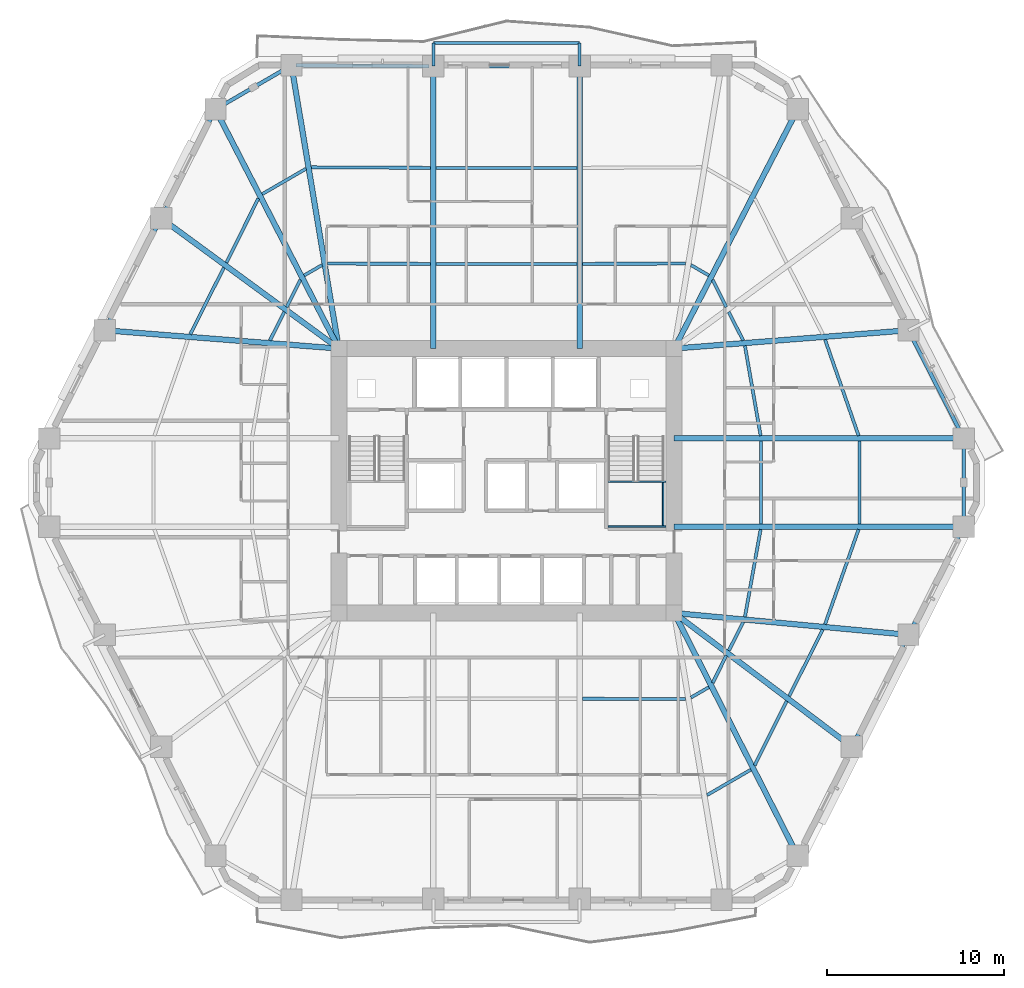
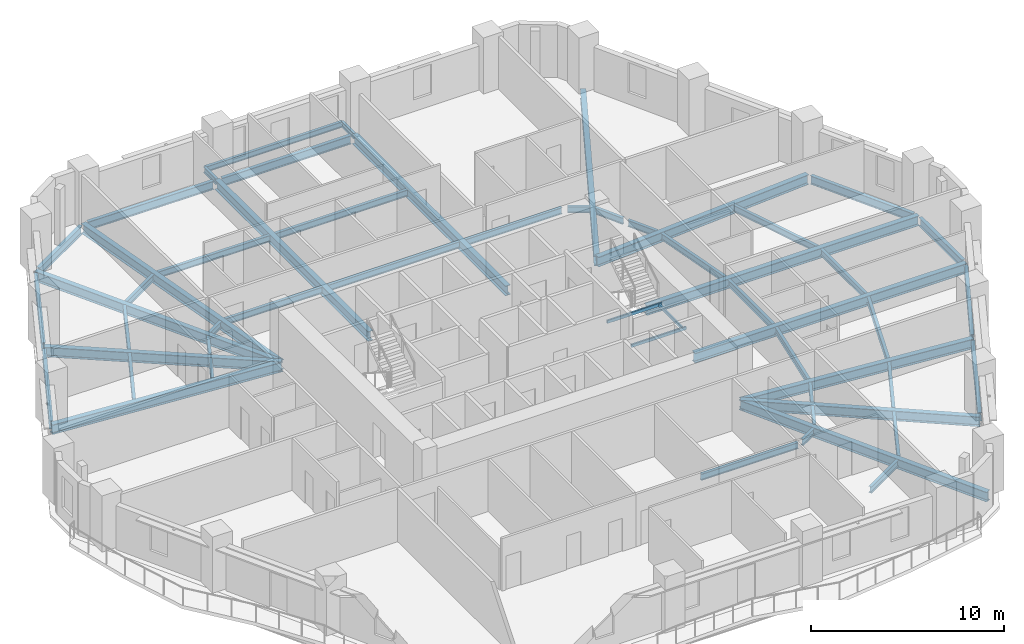
# One storey, part 2 of 14: 55 beams.
"""IFC4 building model written with IfcOpenShell, lengths in metres."""

from ifc_helpers import new_model, si_unit, direction, frame, origin, origin_2d, place, context, subcontext, project, spatial, hollow_rectangle, i_section, extrude, material, material_profile, profile_set, type_object, element, save


model = new_model("IFC4")

# Units and contexts
model_context = context("Model", 3, precision=1e-05, world=origin(), true_north=direction((0.0, 1.0)))
body_context = subcontext(model_context, "Body", "Model", "MODEL_VIEW")
ifc_project = project(units=[si_unit("LENGTHUNIT", "METRE"), si_unit("AREAUNIT", "SQUARE_METRE"), si_unit("VOLUMEUNIT", "CUBIC_METRE"), si_unit("PLANEANGLEUNIT", "RADIAN"), si_unit("MASSUNIT", "GRAM", prefix="KILO")], contexts=[model_context])

# Site, building, storey
site_placement = place(None, origin())
site = spatial("IfcSite", under=ifc_project, at=site_placement, CompositionType="ELEMENT")
building_placement = place(site_placement, origin())
building = spatial("IfcBuilding", under=site, at=building_placement, Name="Cinnabar Lancet Tower", CompositionType="ELEMENT")
storey_placement = place(building_placement, frame((0.0, 0.0, 67.5)))
storey = spatial("IfcBuildingStorey", under=building, at=storey_placement, Name="L17", CompositionType="ELEMENT", Elevation=67.5)

# Beams
ifc_material_1 = material(Name="Structural steel S355", Category="steel")
ifc_material_profile_1 = material_profile(ifc_material_1, i_section(OverallWidth=0.177978515625, OverallDepth=0.406494140625, WebThickness=0.0078125, FlangeThickness=0.0126953125, FilletRadius=0.01025390625, at=origin_2d()), Name="UKB 406x178x60")
ifc_profile_set_1 = profile_set([ifc_material_profile_1], Name="Structural steel S355")
beam_type_1 = type_object("IfcBeamType", Name="STR-BM-JST-406", PredefinedType="JOIST", material=ifc_profile_set_1)
beam_1_placement = place(storey_placement, frame((36.676025390625, 13.616943359375, -0.423095703125), z_axis=(0.999996723732, -0.002559790187, 0.0), x_axis=(0.002559790187, 0.999996723732, 0.0)))
element("IfcBeam", 1, at=beam_1_placement, inside=storey, type_object=beam_type_1, Name="L17 Secondary Floor Joist 14", PredefinedType="JOIST", context=body_context, shape_type="SweptSolid", body=[
    extrude(i_section(OverallWidth=0.177978515625, OverallDepth=0.406494140625, WebThickness=0.0078125, FlangeThickness=0.0126953125, FilletRadius=0.01025390625, at=origin_2d()), origin(), (0.0, 0.0, 1.0), 5.81787109375),
])
beam_2_placement = place(storey_placement, frame((43.698974609375, 8.18896484375, -0.423095703125), z_axis=(0.865076496111, 0.501639966387, 0.0), x_axis=(-0.501639966387, 0.865076496111, 0.0)))
element("IfcBeam", 2, at=beam_2_placement, inside=storey, type_object=beam_type_1, Name="L17 Secondary Floor Joist 15", PredefinedType="JOIST", context=body_context, shape_type="SweptSolid", body=[
    extrude(i_section(OverallWidth=0.177978515625, OverallDepth=0.406494140625, WebThickness=0.0078125, FlangeThickness=0.0126953125, FilletRadius=0.01025390625, at=origin_2d()), origin(), (0.0, 0.0, 1.0), 2.85302734375),
])
beam_3_placement = place(storey_placement, frame((42.7919921875, 13.68408203125, -0.423095703125), z_axis=(0.865192550274, 0.50143977799, 0.0), x_axis=(-0.50143977799, 0.865192550274, 0.0)))
element("IfcBeam", 3, at=beam_3_placement, inside=storey, type_object=beam_type_1, Name="L17 Secondary Floor Joist 16", PredefinedType="JOIST", context=body_context, shape_type="SweptSolid", body=[
    extrude(i_section(OverallWidth=0.177978515625, OverallDepth=0.406494140625, WebThickness=0.0078125, FlangeThickness=0.0126953125, FilletRadius=0.01025390625, at=origin_2d()), origin(), (0.0, 0.0, 1.0), 1.16845703125),
])
beam_4_placement = place(storey_placement, frame((46.385009765625, 9.867919921875, -0.423095703125), z_axis=(0.445835127839, 0.895115098065, 0.0), x_axis=(-0.895115098065, 0.445835127839, 0.0)))
element("IfcBeam", 4, at=beam_4_placement, inside=storey, type_object=beam_type_1, Name="L17 Secondary Floor Joist 17", PredefinedType="JOIST", context=body_context, shape_type="SweptSolid", body=[
    extrude(i_section(OverallWidth=0.177978515625, OverallDepth=0.406494140625, WebThickness=0.0078125, FlangeThickness=0.0126953125, FilletRadius=0.01025390625, at=origin_2d()), origin(), (0.0, 0.0, 1.0), 4.03955078125),
])
beam_5_placement = place(storey_placement, frame((44.02099609375, 14.51806640625, -0.423095703125), z_axis=(0.44578468599, 0.895140220154, 0.0), x_axis=(-0.895140220154, 0.44578468599, 0.0)))
element("IfcBeam", 5, at=beam_5_placement, inside=storey, type_object=beam_type_1, Name="L17 Secondary Floor Joist 18", PredefinedType="JOIST", context=body_context, shape_type="SweptSolid", body=[
    extrude(i_section(OverallWidth=0.177978515625, OverallDepth=0.406494140625, WebThickness=0.0078125, FlangeThickness=0.0126953125, FilletRadius=0.01025390625, at=origin_2d()), origin(), (0.0, 0.0, 1.0), 1.709228515625),
])
beam_6_placement = place(storey_placement, frame((48.325927734375, 13.762939453125, -0.423095703125), z_axis=(0.450717414682, 0.892666685893, 0.0), x_axis=(-0.892666685893, 0.450717414682, 0.0)))
element("IfcBeam", 6, at=beam_6_placement, inside=storey, type_object=beam_type_1, Name="L17 Secondary Floor Joist 19", PredefinedType="JOIST", context=body_context, shape_type="SweptSolid", body=[
    extrude(i_section(OverallWidth=0.177978515625, OverallDepth=0.406494140625, WebThickness=0.0078125, FlangeThickness=0.0126953125, FilletRadius=0.01025390625, at=origin_2d()), origin(), (0.0, 0.0, 1.0), 4.204345703125),
])
beam_7_placement = place(storey_placement, frame((44.923095703125, 16.326904296875, -0.423095703125), z_axis=(0.450411488104, 0.892821085875, 0.0), x_axis=(-0.892821085875, 0.450411488104, 0.0)))
element("IfcBeam", 7, at=beam_7_placement, inside=storey, type_object=beam_type_1, Name="L17 Secondary Floor Joist 20", PredefinedType="JOIST", context=body_context, shape_type="SweptSolid", body=[
    extrude(i_section(OverallWidth=0.177978515625, OverallDepth=0.406494140625, WebThickness=0.0078125, FlangeThickness=0.0126953125, FilletRadius=0.01025390625, at=origin_2d()), origin(), (0.0, 0.0, 1.0), 1.800048828125),
])
beam_8_placement = place(storey_placement, frame((50.347900390625, 17.81201171875, -0.423095703125), z_axis=(0.333387390151, 0.942789927867, 0.0), x_axis=(-0.942789927867, 0.333387390151, 0.0)))
element("IfcBeam", 8, at=beam_8_placement, inside=storey, type_object=beam_type_1, Name="L17 Secondary Floor Joist 21", PredefinedType="JOIST", context=body_context, shape_type="SweptSolid", body=[
    extrude(i_section(OverallWidth=0.177978515625, OverallDepth=0.406494140625, WebThickness=0.0078125, FlangeThickness=0.0126953125, FilletRadius=0.01025390625, at=origin_2d()), origin(), (0.0, 0.0, 1.0), 5.67236328125),
])
beam_9_placement = place(storey_placement, frame((45.8359375, 18.23291015625, -0.423095703125), z_axis=(0.176227857104, 0.984349400559, 0.0), x_axis=(-0.984349400559, 0.176227857104, 0.0)))
element("IfcBeam", 9, at=beam_9_placement, inside=storey, type_object=beam_type_1, Name="L17 Secondary Floor Joist 22", PredefinedType="JOIST", context=body_context, shape_type="SweptSolid", body=[
    extrude(i_section(OverallWidth=0.177978515625, OverallDepth=0.406494140625, WebThickness=0.0078125, FlangeThickness=0.0126953125, FilletRadius=0.01025390625, at=origin_2d()), origin(), (0.0, 0.0, 1.0), 5.00537109375),
])
for number, where, z_axis, x_axis, name in (
    (10, (52.2939453125, 23.468017578125, -0.423095703125), (0.0, 1.0, 0.0), (-1.0, 0.0, 0.0), "L17 Secondary Floor Joist 23"),
    (11, (46.7451171875, 23.468017578125, -0.423095703125), (0.0, 1.0, 0.0), (-1.0, 0.0, 0.0), "L17 Secondary Floor Joist 24"),
):
    element("IfcBeam", number, at=place(storey_placement, frame(where, z_axis=z_axis, x_axis=x_axis)), inside=storey, type_object=beam_type_1, Name=name, PredefinedType="JOIST", context=body_context, shape_type="SweptSolid", body=[
        extrude(i_section(OverallWidth=0.177978515625, OverallDepth=0.406494140625, WebThickness=0.0078125, FlangeThickness=0.0126953125, FilletRadius=0.01025390625, at=origin_2d()), origin(), (0.0, 0.0, 1.0), 4.6640625),
    ])
beam_10_placement = place(storey_placement, frame((52.239990234375, 28.43994140625, -0.423095703125), z_axis=(-0.329645522599, 0.944104776723, 0.0), x_axis=(-0.944104776723, -0.329645522599, 0.0)))
element("IfcBeam", 12, at=beam_10_placement, inside=storey, type_object=beam_type_1, Name="L17 Secondary Floor Joist 25", PredefinedType="JOIST", context=body_context, shape_type="SweptSolid", body=[
    extrude(i_section(OverallWidth=0.177978515625, OverallDepth=0.406494140625, WebThickness=0.0078125, FlangeThickness=0.0126953125, FilletRadius=0.01025390625, at=origin_2d()), origin(), (0.0, 0.0, 1.0), 5.73974609375),
])
beam_11_placement = place(storey_placement, frame((46.718994140625, 28.43994140625, -0.423095703125), z_axis=(-0.171867959611, 0.985119994954, 0.0), x_axis=(-0.985119994954, -0.171867959611, 0.0)))
element("IfcBeam", 13, at=beam_11_placement, inside=storey, type_object=beam_type_1, Name="L17 Secondary Floor Joist 26", PredefinedType="JOIST", context=body_context, shape_type="SweptSolid", body=[
    extrude(i_section(OverallWidth=0.177978515625, OverallDepth=0.406494140625, WebThickness=0.0078125, FlangeThickness=0.0126953125, FilletRadius=0.01025390625, at=origin_2d()), origin(), (0.0, 0.0, 1.0), 5.1435546875),
])
beam_12_placement = place(storey_placement, frame((45.73388671875, 33.806884765625, -0.423095703125), z_axis=(-0.450629740029, 0.892710948405, 0.0), x_axis=(-0.892710948405, -0.450629740029, 0.0)))
element("IfcBeam", 14, at=beam_12_placement, inside=storey, type_object=beam_type_1, Name="L17 Secondary Floor Joist 28", PredefinedType="JOIST", context=body_context, shape_type="SweptSolid", body=[
    extrude(i_section(OverallWidth=0.177978515625, OverallDepth=0.406494140625, WebThickness=0.0078125, FlangeThickness=0.0126953125, FilletRadius=0.01025390625, at=origin_2d()), origin(), (0.0, 0.0, 1.0), 1.79931640625),
])
beam_13_placement = place(storey_placement, frame((44.782958984375, 35.69189453125, -0.423095703125), z_axis=(-0.445556802404, 0.895253671219, 0.0), x_axis=(-0.895253671219, -0.445556802404, 0.0)))
element("IfcBeam", 15, at=beam_13_placement, inside=storey, type_object=beam_type_1, Name="L17 Secondary Floor Joist 30", PredefinedType="JOIST", context=body_context, shape_type="SweptSolid", body=[
    extrude(i_section(OverallWidth=0.177978515625, OverallDepth=0.406494140625, WebThickness=0.0078125, FlangeThickness=0.0126953125, FilletRadius=0.01025390625, at=origin_2d()), origin(), (0.0, 0.0, 1.0), 1.710205078125),
])
beam_14_placement = place(storey_placement, frame((43.802978515625, 37.469970703125, -0.423095703125), z_axis=(-0.865192550274, 0.50143977799, 0.0), x_axis=(-0.50143977799, -0.865192550274, 0.0)))
element("IfcBeam", 16, at=beam_14_placement, inside=storey, type_object=beam_type_1, Name="L17 Secondary Floor Joist 32", PredefinedType="JOIST", context=body_context, shape_type="SweptSolid", body=[
    extrude(i_section(OverallWidth=0.177978515625, OverallDepth=0.406494140625, WebThickness=0.0078125, FlangeThickness=0.0126953125, FilletRadius=0.01025390625, at=origin_2d()), origin(), (0.0, 0.0, 1.0), 1.16845703125),
])
beam_15_placement = place(storey_placement, frame((42.493896484375, 38.137939453125, -0.423095703125), z_axis=(-0.999996723732, -0.002559790187, 0.0), x_axis=(0.002559790187, -0.999996723732, 0.0)))
element("IfcBeam", 17, at=beam_15_placement, inside=storey, type_object=beam_type_1, Name="L17 Secondary Floor Joist 34", PredefinedType="JOIST", context=body_context, shape_type="SweptSolid", body=[
    extrude(i_section(OverallWidth=0.177978515625, OverallDepth=0.406494140625, WebThickness=0.0078125, FlangeThickness=0.0126953125, FilletRadius=0.01025390625, at=origin_2d()), origin(), (0.0, 0.0, 1.0), 5.81787109375),
])
for number, where, z_axis, x_axis, name in (
    (18, (36.367919921875, 43.531005859375, -0.423095703125), (-1.0, 0.0, 0.0), (0.0, -1.0, 0.0), "L17 Secondary Floor Joist 35"),
    (19, (36.367919921875, 38.1220703125, -0.423095703125), (-1.0, 0.0, 0.0), (0.0, -1.0, 0.0), "L17 Secondary Floor Joist 36"),
):
    element("IfcBeam", number, at=place(storey_placement, frame(where, z_axis=z_axis, x_axis=x_axis)), inside=storey, type_object=beam_type_1, Name=name, PredefinedType="JOIST", context=body_context, shape_type="SweptSolid", body=[
        extrude(i_section(OverallWidth=0.177978515625, OverallDepth=0.406494140625, WebThickness=0.0078125, FlangeThickness=0.0126953125, FilletRadius=0.01025390625, at=origin_2d()), origin(), (0.0, 0.0, 1.0), 7.93603515625),
    ])
beam_16_placement = place(storey_placement, frame((28.1240234375, 43.531982421875, -0.423095703125), z_axis=(-0.999988691939, 0.004755627628, 0.0), x_axis=(-0.004755627628, -0.999988691939, 0.0)))
element("IfcBeam", 20, at=beam_16_placement, inside=storey, type_object=beam_type_1, Name="L17 Secondary Floor Joist 37", PredefinedType="JOIST", context=body_context, shape_type="SweptSolid", body=[
    extrude(i_section(OverallWidth=0.177978515625, OverallDepth=0.406494140625, WebThickness=0.0078125, FlangeThickness=0.0126953125, FilletRadius=0.01025390625, at=origin_2d()), origin(), (0.0, 0.0, 1.0), 6.72509765625),
])
beam_17_placement = place(storey_placement, frame((28.1240234375, 38.123046875, -0.423095703125), z_axis=(-0.999996724007, 0.002559682773, 0.0), x_axis=(-0.002559682773, -0.999996724007, 0.0)))
element("IfcBeam", 21, at=beam_17_placement, inside=storey, type_object=beam_type_1, Name="L17 Secondary Floor Joist 38", PredefinedType="JOIST", context=body_context, shape_type="SweptSolid", body=[
    extrude(i_section(OverallWidth=0.177978515625, OverallDepth=0.406494140625, WebThickness=0.0078125, FlangeThickness=0.0126953125, FilletRadius=0.01025390625, at=origin_2d()), origin(), (0.0, 0.0, 1.0), 5.818115234375),
])
beam_18_placement = place(storey_placement, frame((21.10107421875, 43.48291015625, -0.423095703125), z_axis=(-0.865113631149, -0.50157592167, 0.0), x_axis=(0.50157592167, -0.865113631149, 0.0)))
element("IfcBeam", 22, at=beam_18_placement, inside=storey, type_object=beam_type_1, Name="L17 Secondary Floor Joist 39", PredefinedType="JOIST", context=body_context, shape_type="SweptSolid", body=[
    extrude(i_section(OverallWidth=0.177978515625, OverallDepth=0.406494140625, WebThickness=0.0078125, FlangeThickness=0.0126953125, FilletRadius=0.01025390625, at=origin_2d()), origin(), (0.0, 0.0, 1.0), 2.852783203125),
])
beam_19_placement = place(storey_placement, frame((22.008056640625, 38.055908203125, -0.423095703125), z_axis=(-0.865192550274, -0.50143977799, 0.0), x_axis=(0.50143977799, -0.865192550274, 0.0)))
element("IfcBeam", 23, at=beam_19_placement, inside=storey, type_object=beam_type_1, Name="L17 Secondary Floor Joist 40", PredefinedType="JOIST", context=body_context, shape_type="SweptSolid", body=[
    extrude(i_section(OverallWidth=0.177978515625, OverallDepth=0.406494140625, WebThickness=0.0078125, FlangeThickness=0.0126953125, FilletRadius=0.01025390625, at=origin_2d()), origin(), (0.0, 0.0, 1.0), 1.16845703125),
])
beam_20_placement = place(storey_placement, frame((18.4150390625, 41.804931640625, -0.423095703125), z_axis=(-0.445738672706, -0.895163133543, 0.0), x_axis=(0.895163133543, -0.445738672706, 0.0)))
element("IfcBeam", 24, at=beam_20_placement, inside=storey, type_object=beam_type_1, Name="L17 Secondary Floor Joist 41", PredefinedType="JOIST", context=body_context, shape_type="SweptSolid", body=[
    extrude(i_section(OverallWidth=0.177978515625, OverallDepth=0.406494140625, WebThickness=0.0078125, FlangeThickness=0.0126953125, FilletRadius=0.01025390625, at=origin_2d()), origin(), (0.0, 0.0, 1.0), 4.04052734375),
])
beam_21_placement = place(storey_placement, frame((20.779052734375, 37.222900390625, -0.423095703125), z_axis=(-0.445556802404, -0.895253671219, 0.0), x_axis=(0.895253671219, -0.445556802404, 0.0)))
element("IfcBeam", 25, at=beam_21_placement, inside=storey, type_object=beam_type_1, Name="L17 Secondary Floor Joist 42", PredefinedType="JOIST", context=body_context, shape_type="SweptSolid", body=[
    extrude(i_section(OverallWidth=0.177978515625, OverallDepth=0.406494140625, WebThickness=0.0078125, FlangeThickness=0.0126953125, FilletRadius=0.01025390625, at=origin_2d()), origin(), (0.0, 0.0, 1.0), 1.710205078125),
])
beam_22_placement = place(storey_placement, frame((16.47412109375, 37.908935546875, -0.423095703125), z_axis=(-0.450834254961, -0.89260768233, 0.0), x_axis=(0.89260768233, -0.450834254961, 0.0)))
element("IfcBeam", 26, at=beam_22_placement, inside=storey, type_object=beam_type_1, Name="L17 Secondary Floor Joist 43", PredefinedType="JOIST", context=body_context, shape_type="SweptSolid", body=[
    extrude(i_section(OverallWidth=0.177978515625, OverallDepth=0.406494140625, WebThickness=0.0078125, FlangeThickness=0.0126953125, FilletRadius=0.01025390625, at=origin_2d()), origin(), (0.0, 0.0, 1.0), 4.203369140625),
])
beam_23_placement = place(storey_placement, frame((19.876953125, 35.4130859375, -0.423095703125), z_axis=(-0.450737866707, -0.892656359142, 0.0), x_axis=(0.892656359142, -0.450737866707, 0.0)))
element("IfcBeam", 27, at=beam_23_placement, inside=storey, type_object=beam_type_1, Name="L17 Secondary Floor Joist 44", PredefinedType="JOIST", context=body_context, shape_type="SweptSolid", body=[
    extrude(i_section(OverallWidth=0.177978515625, OverallDepth=0.406494140625, WebThickness=0.0078125, FlangeThickness=0.0126953125, FilletRadius=0.01025390625, at=origin_2d()), origin(), (0.0, 0.0, 1.0), 1.79931640625),
])
ifc_material_2 = material(Name="Structural steel S355", Category="steel")
ifc_material_profile_2 = material_profile(ifc_material_2, hollow_rectangle(XDim=0.10009765625, YDim=0.199951171875, WallThickness=0.008056640625, InnerFilletRadius=0.00390625, OuterFilletRadius=0.011962890625, at=origin_2d()), Name="RHS 200x100x8")
ifc_profile_set_2 = profile_set([ifc_material_profile_2], Name="Structural steel S355")
beam_type_2 = type_object("IfcBeamType", Name="STR-BM-LND-203", PredefinedType="BEAM", material=ifc_profile_set_2)
for number, where, z_axis, x_axis, name in (
    (28, (38.1201171875, 23.330078125, 1.47509765625), (1.0, 0.0, 0.0), (0.0, 1.0, 0.0), "L17 ST-2-L17 Landing Support Beam S"),
    (29, (38.1201171875, 25.844970703125, 1.47509765625), (1.0, 0.0, 0.0), (0.0, 1.0, 0.0), "L17 ST-2-L17 Landing Support Beam N"),
):
    element("IfcBeam", number, at=place(storey_placement, frame(where, z_axis=z_axis, x_axis=x_axis)), inside=storey, type_object=beam_type_2, Name=name, PredefinedType="BEAM", context=body_context, shape_type="SweptSolid", body=[
        extrude(hollow_rectangle(XDim=0.10009765625, YDim=0.199951171875, WallThickness=0.008056640625, InnerFilletRadius=0.00390625, OuterFilletRadius=0.011962890625, at=origin_2d()), origin(), (0.0, 0.0, 1.0), 3.27978515625),
    ])
beam_24_placement = place(storey_placement, frame((41.219970703125, 23.3798828125, 1.47509765625), z_axis=(0.0, 1.0, 0.0), x_axis=(-1.0, 0.0, 0.0)))
element("IfcBeam", 30, at=beam_24_placement, inside=storey, type_object=beam_type_2, Name="L17 ST-2-L17 Landing Side Trimmer Beam", PredefinedType="BEAM", context=body_context, shape_type="SweptSolid", body=[
    extrude(hollow_rectangle(XDim=0.10009765625, YDim=0.199951171875, WallThickness=0.008056640625, InnerFilletRadius=0.00390625, OuterFilletRadius=0.011962890625, at=origin_2d()), origin(), (0.0, 0.0, 1.0), 2.4150390625),
])
ifc_material_3 = material(Name="Structural steel S355", Category="steel")
ifc_material_profile_3 = material_profile(ifc_material_3, i_section(OverallWidth=0.209228515625, OverallDepth=0.533203125, WebThickness=0.010009765625, FlangeThickness=0.015625, FilletRadius=0.0126953125, at=origin_2d()), Name="UKB 533x210x92")
ifc_profile_set_3 = profile_set([ifc_material_profile_3], Name="Structural steel S355")
beam_type_3 = type_object("IfcBeamType", Name="STR-BM-SPN-533", PredefinedType="SPANDREL", material=ifc_profile_set_3)
beam_25_placement = place(storey_placement, frame((51.971923828125, 11.132080078125, -0.487060546875), z_axis=(0.450703143926, 0.892673891214, 0.0), x_axis=(-0.892673891214, 0.450703143926, 0.0)))
element("IfcBeam", 31, at=beam_25_placement, inside=storey, type_object=beam_type_3, Name="L17 Perimeter Spandrel 6", PredefinedType="SPANDREL", context=body_context, shape_type="SweptSolid", body=[
    extrude(i_section(OverallWidth=0.209228515625, OverallDepth=0.533203125, WebThickness=0.010009765625, FlangeThickness=0.015625, FilletRadius=0.0126953125, at=origin_2d()), origin(), (0.0, 0.0, 1.0), 6.570068359375),
])
beam_26_placement = place(storey_placement, frame((55.159912109375, 17.443115234375, -0.487060546875), z_axis=(0.456024522632, 0.889967209934, 0.0), x_axis=(-0.889967209934, 0.456024522632, 0.0)))
element("IfcBeam", 32, at=beam_26_placement, inside=storey, type_object=beam_type_3, Name="L17 Perimeter Spandrel 7", PredefinedType="SPANDREL", context=body_context, shape_type="SweptSolid", body=[
    extrude(i_section(OverallWidth=0.209228515625, OverallDepth=0.533203125, WebThickness=0.010009765625, FlangeThickness=0.015625, FilletRadius=0.0126953125, at=origin_2d()), origin(), (0.0, 0.0, 1.0), 6.34619140625),
])
beam_27_placement = place(storey_placement, frame((58.16796875, 23.56396484375, -0.487060546875), z_axis=(0.0, 1.0, 0.0), x_axis=(-1.0, 0.0, 0.0)))
element("IfcBeam", 33, at=beam_27_placement, inside=storey, type_object=beam_type_3, Name="L17 Perimeter Spandrel 8", PredefinedType="SPANDREL", context=body_context, shape_type="SweptSolid", body=[
    extrude(i_section(OverallWidth=0.209228515625, OverallDepth=0.533203125, WebThickness=0.010009765625, FlangeThickness=0.015625, FilletRadius=0.0126953125, at=origin_2d()), origin(), (0.0, 0.0, 1.0), 4.471923828125),
])
beam_28_placement = place(storey_placement, frame((58.053955078125, 28.509033203125, -0.487060546875), z_axis=(-0.456024522632, 0.889967209934, 0.0), x_axis=(-0.889967209934, -0.456024522632, 0.0)))
element("IfcBeam", 34, at=beam_28_placement, inside=storey, type_object=beam_type_3, Name="L17 Perimeter Spandrel 9", PredefinedType="SPANDREL", context=body_context, shape_type="SweptSolid", body=[
    extrude(i_section(OverallWidth=0.209228515625, OverallDepth=0.533203125, WebThickness=0.010009765625, FlangeThickness=0.015625, FilletRadius=0.0126953125, at=origin_2d()), origin(), (0.0, 0.0, 1.0), 6.34619140625),
])
beam_29_placement = place(storey_placement, frame((36.27197265625, 49.258056640625, -0.487060546875), z_axis=(-1.0, 0.0, 0.0), x_axis=(0.0, -1.0, 0.0)))
element("IfcBeam", 35, at=beam_29_placement, inside=storey, type_object=beam_type_3, Name="L17 Perimeter Spandrel 14", PredefinedType="SPANDREL", context=body_context, shape_type="SweptSolid", body=[
    extrude(i_section(OverallWidth=0.209228515625, OverallDepth=0.533203125, WebThickness=0.010009765625, FlangeThickness=0.015625, FilletRadius=0.0126953125, at=origin_2d()), origin(), (0.0, 0.0, 1.0), 7.743896484375),
])
beam_30_placement = place(storey_placement, frame((28.028076171875, 49.260009765625, -0.487060546875), z_axis=(-0.99997856757, 0.006547090947, 0.0), x_axis=(-0.006547090947, -0.99997856757, 0.0)))
element("IfcBeam", 36, at=beam_30_placement, inside=storey, type_object=beam_type_3, Name="L17 Perimeter Spandrel 15", PredefinedType="SPANDREL", context=body_context, shape_type="SweptSolid", body=[
    extrude(i_section(OverallWidth=0.209228515625, OverallDepth=0.533203125, WebThickness=0.010009765625, FlangeThickness=0.015625, FilletRadius=0.0126953125, at=origin_2d()), origin(), (0.0, 0.0, 1.0), 7.495361328125),
])
beam_31_placement = place(storey_placement, frame((20.06689453125, 49.18603515625, -0.487060546875), z_axis=(-0.865147238596, -0.501517951374, 0.0), x_axis=(0.501517951374, -0.865147238596, 0.0)))
element("IfcBeam", 37, at=beam_31_placement, inside=storey, type_object=beam_type_3, Name="L17 Perimeter Spandrel 16", PredefinedType="SPANDREL", context=body_context, shape_type="SweptSolid", body=[
    extrude(i_section(OverallWidth=0.209228515625, OverallDepth=0.533203125, WebThickness=0.010009765625, FlangeThickness=0.015625, FilletRadius=0.0126953125, at=origin_2d()), origin(), (0.0, 0.0, 1.0), 4.454833984375),
])
beam_32_placement = place(storey_placement, frame((15.885986328125, 46.60302734375, -0.487060546875), z_axis=(-0.445953050023, -0.89505635419, 0.0), x_axis=(0.89505635419, -0.445953050023, 0.0)))
element("IfcBeam", 38, at=beam_32_placement, inside=storey, type_object=beam_type_3, Name="L17 Perimeter Spandrel 17", PredefinedType="SPANDREL", context=body_context, shape_type="SweptSolid", body=[
    extrude(i_section(OverallWidth=0.209228515625, OverallDepth=0.533203125, WebThickness=0.010009765625, FlangeThickness=0.015625, FilletRadius=0.0126953125, at=origin_2d()), origin(), (0.0, 0.0, 1.0), 6.35498046875),
])
beam_33_placement = place(storey_placement, frame((12.827880859375, 40.468017578125, -0.487060546875), z_axis=(-0.450673532306, -0.892688841242, 0.0), x_axis=(0.892688841242, -0.450673532306, 0.0)))
element("IfcBeam", 39, at=beam_33_placement, inside=storey, type_object=beam_type_3, Name="L17 Perimeter Spandrel 18", PredefinedType="SPANDREL", context=body_context, shape_type="SweptSolid", body=[
    extrude(i_section(OverallWidth=0.209228515625, OverallDepth=0.533203125, WebThickness=0.010009765625, FlangeThickness=0.015625, FilletRadius=0.0126953125, at=origin_2d()), origin(), (0.0, 0.0, 1.0), 6.570068359375),
])
ifc_material_4 = material(Name="Structural steel S355", Category="steel")
ifc_material_profile_4 = material_profile(ifc_material_4, i_section(OverallWidth=0.30712890625, OverallDepth=0.6201171875, WebThickness=0.01416015625, FlangeThickness=0.023681640625, FilletRadius=0.0166015625, at=origin_2d()), Name="UKB 610x305x179")
ifc_profile_set_4 = profile_set([ifc_material_profile_4], Name="Structural steel S355")
beam_type_4 = type_object("IfcBeamType", Name="STR-BM-UKB610-179", PredefinedType="BEAM", material=ifc_profile_set_4)
beam_34_placement = place(storey_placement, frame((51.85888671875, 10.908935546875, -0.530029296875), z_axis=(-0.798679534026, 0.601756596912, 0.0), x_axis=(-0.601756596912, -0.798679534026, 0.0)))
element("IfcBeam", 40, at=beam_34_placement, inside=storey, type_object=beam_type_4, Name="L17 Corner Collector Girder 2", PredefinedType="BEAM", context=body_context, shape_type="SweptSolid", body=[
    extrude(i_section(OverallWidth=0.30712890625, OverallDepth=0.6201171875, WebThickness=0.01416015625, FlangeThickness=0.023681640625, FilletRadius=0.0166015625, at=origin_2d()), origin(), (0.0, 0.0, 1.0), 12.53173828125),
])
beam_35_placement = place(storey_placement, frame((12.94091796875, 40.69091796875, -0.530029296875), z_axis=(0.806371852816, -0.591408856026, 0.0), x_axis=(0.591408856026, 0.806371852816, 0.0)))
element("IfcBeam", 41, at=beam_35_placement, inside=storey, type_object=beam_type_4, Name="L17 Corner Collector Girder 4", PredefinedType="BEAM", context=body_context, shape_type="SweptSolid", body=[
    extrude(i_section(OverallWidth=0.30712890625, OverallDepth=0.6201171875, WebThickness=0.01416015625, FlangeThickness=0.023681640625, FilletRadius=0.0166015625, at=origin_2d()), origin(), (0.0, 0.0, 1.0), 12.412353515625),
])
beam_36_placement = place(storey_placement, frame((48.802978515625, 4.77294921875, -0.530029296875), z_axis=(-0.453167599586, 0.89142533433, 0.0), x_axis=(-0.89142533433, -0.453167599586, 0.0)))
element("IfcBeam", 42, at=beam_36_placement, inside=storey, type_object=beam_type_4, Name="L17 Primary Floor Girder 5", PredefinedType="BEAM", context=body_context, shape_type="SweptSolid", body=[
    extrude(i_section(OverallWidth=0.30712890625, OverallDepth=0.6201171875, WebThickness=0.01416015625, FlangeThickness=0.023681640625, FilletRadius=0.0166015625, at=origin_2d()), origin(), (0.0, 0.0, 1.0), 15.3427734375),
])
beam_37_placement = place(storey_placement, frame((55.0458984375, 17.219970703125, -0.530029296875), z_axis=(-0.99568405159, 0.092807701238, 0.0), x_axis=(-0.092807701238, -0.99568405159, 0.0)))
element("IfcBeam", 43, at=beam_37_placement, inside=storey, type_object=beam_type_4, Name="L17 Primary Floor Girder 7", PredefinedType="BEAM", context=body_context, shape_type="SweptSolid", body=[
    extrude(i_section(OverallWidth=0.30712890625, OverallDepth=0.6201171875, WebThickness=0.01416015625, FlangeThickness=0.023681640625, FilletRadius=0.0166015625, at=origin_2d()), origin(), (0.0, 0.0, 1.0), 13.2529296875),
])
for number, where, z_axis, x_axis, name in (
    (44, (58.16796875, 23.31396484375, -0.530029296875), (-1.0, 0.0, 0.0), (0.0, -1.0, 0.0), "L17 Primary Floor Girder 8"),
    (45, (58.16796875, 28.285888671875, -0.530029296875), (-1.0, 0.0, 0.0), (0.0, -1.0, 0.0), "L17 Primary Floor Girder 9"),
):
    element("IfcBeam", number, at=place(storey_placement, frame(where, z_axis=z_axis, x_axis=x_axis)), inside=storey, type_object=beam_type_4, Name=name, PredefinedType="BEAM", context=body_context, shape_type="SweptSolid", body=[
        extrude(i_section(OverallWidth=0.30712890625, OverallDepth=0.6201171875, WebThickness=0.01416015625, FlangeThickness=0.023681640625, FilletRadius=0.0166015625, at=origin_2d()), origin(), (0.0, 0.0, 1.0), 16.31787109375),
    ])
beam_38_placement = place(storey_placement, frame((55.0458984375, 34.3798828125, -0.530029296875), z_axis=(-0.99696880683, -0.077802302076, 0.0), x_axis=(0.077802302076, -0.99696880683, 0.0)))
element("IfcBeam", 46, at=beam_38_placement, inside=storey, type_object=beam_type_4, Name="L17 Primary Floor Girder 10", PredefinedType="BEAM", context=body_context, shape_type="SweptSolid", body=[
    extrude(i_section(OverallWidth=0.30712890625, OverallDepth=0.6201171875, WebThickness=0.01416015625, FlangeThickness=0.023681640625, FilletRadius=0.0166015625, at=origin_2d()), origin(), (0.0, 0.0, 1.0), 13.23583984375),
])
beam_39_placement = place(storey_placement, frame((48.802978515625, 46.826904296875, -0.530029296875), z_axis=(-0.458492410387, -0.888698323177, 0.0), x_axis=(0.888698323177, -0.458492410387, 0.0)))
element("IfcBeam", 47, at=beam_39_placement, inside=storey, type_object=beam_type_4, Name="L17 Primary Floor Girder 12", PredefinedType="BEAM", context=body_context, shape_type="SweptSolid", body=[
    extrude(i_section(OverallWidth=0.30712890625, OverallDepth=0.6201171875, WebThickness=0.01416015625, FlangeThickness=0.023681640625, FilletRadius=0.0166015625, at=origin_2d()), origin(), (0.0, 0.0, 1.0), 15.16455078125),
])
for number, where, z_axis, x_axis, name in (
    (48, (36.52197265625, 49.258056640625, -0.530029296875), (0.0, -1.0, 0.0), (1.0, 0.0, 0.0), "L17 Primary Floor Girder 14"),
    (49, (28.278076171875, 49.258056640625, -0.530029296875), (0.0, -1.0, 0.0), (1.0, 0.0, 0.0), "L17 Primary Floor Girder 15"),
):
    element("IfcBeam", number, at=place(storey_placement, frame(where, z_axis=z_axis, x_axis=x_axis)), inside=storey, type_object=beam_type_4, Name=name, PredefinedType="BEAM", context=body_context, shape_type="SweptSolid", body=[
        extrude(i_section(OverallWidth=0.30712890625, OverallDepth=0.6201171875, WebThickness=0.01416015625, FlangeThickness=0.023681640625, FilletRadius=0.0166015625, at=origin_2d()), origin(), (0.0, 0.0, 1.0), 15.907958984375),
    ])
beam_40_placement = place(storey_placement, frame((20.282958984375, 49.31103515625, -0.530029296875), z_axis=(0.164809990854, -0.986325335229, 0.0), x_axis=(0.986325335229, 0.164809990854, 0.0)))
element("IfcBeam", 50, at=beam_40_placement, inside=storey, type_object=beam_type_4, Name="L17 Primary Floor Girder 16", PredefinedType="BEAM", context=body_context, shape_type="SweptSolid", body=[
    extrude(i_section(OverallWidth=0.30712890625, OverallDepth=0.6201171875, WebThickness=0.01416015625, FlangeThickness=0.023681640625, FilletRadius=0.0166015625, at=origin_2d()), origin(), (0.0, 0.0, 1.0), 16.18212890625),
])
beam_41_placement = place(storey_placement, frame((15.9970703125, 46.826904296875, -0.530029296875), z_axis=(0.458492410387, -0.888698323177, 0.0), x_axis=(0.888698323177, 0.458492410387, 0.0)))
element("IfcBeam", 51, at=beam_41_placement, inside=storey, type_object=beam_type_4, Name="L17 Primary Floor Girder 17", PredefinedType="BEAM", context=body_context, shape_type="SweptSolid", body=[
    extrude(i_section(OverallWidth=0.30712890625, OverallDepth=0.6201171875, WebThickness=0.01416015625, FlangeThickness=0.023681640625, FilletRadius=0.0166015625, at=origin_2d()), origin(), (0.0, 0.0, 1.0), 15.16455078125),
])
beam_42_placement = place(storey_placement, frame((9.75390625, 34.3798828125, -0.530029296875), z_axis=(0.99696891848, -0.077800871365, 0.0), x_axis=(0.077800871365, 0.99696891848, 0.0)))
element("IfcBeam", 52, at=beam_42_placement, inside=storey, type_object=beam_type_4, Name="L17 Primary Floor Girder 19", PredefinedType="BEAM", context=body_context, shape_type="SweptSolid", body=[
    extrude(i_section(OverallWidth=0.30712890625, OverallDepth=0.6201171875, WebThickness=0.01416015625, FlangeThickness=0.023681640625, FilletRadius=0.0166015625, at=origin_2d()), origin(), (0.0, 0.0, 1.0), 13.236083984375),
])
ifc_material_5 = material(Name="Structural steel S355", Category="steel")
ifc_material_profile_5 = material_profile(ifc_material_5, i_section(OverallWidth=0.17138671875, OverallDepth=0.35498046875, WebThickness=0.00732421875, FlangeThickness=0.011474609375, FilletRadius=0.01025390625, at=origin_2d()), Name="UKB 356x171x51")
ifc_profile_set_5 = profile_set([ifc_material_profile_5], Name="Structural steel S355")
beam_type_5 = type_object("IfcBeamType", Name="STR-BM-WAV-OUT", PredefinedType="BEAM", material=ifc_profile_set_5)
for number, where, z_axis, x_axis, name in (
    (53, (36.52197265625, 49.258056640625, -0.39697265625), (0.0, 1.0, 0.0), (-1.0, 0.0, 0.0), "L17 Face 4 Balcony Outlooker A"),
    (54, (28.278076171875, 49.258056640625, -0.39697265625), (0.0, 1.0, 0.0), (-1.0, 0.0, 0.0), "L17 Face 4 Balcony Outlooker B"),
):
    element("IfcBeam", number, at=place(storey_placement, frame(where, z_axis=z_axis, x_axis=x_axis)), inside=storey, type_object=beam_type_5, Name=name, PredefinedType="BEAM", context=body_context, shape_type="SweptSolid", body=[
        extrude(i_section(OverallWidth=0.17138671875, OverallDepth=0.35498046875, WebThickness=0.00732421875, FlangeThickness=0.011474609375, FilletRadius=0.01025390625, at=origin_2d()), origin(), (0.0, 0.0, 1.0), 1.300048828125),
    ])
ifc_material_6 = material(Name="Structural steel S355", Category="steel")
ifc_material_profile_6 = material_profile(ifc_material_6, i_section(OverallWidth=0.17138671875, OverallDepth=0.35498046875, WebThickness=0.00732421875, FlangeThickness=0.011474609375, FilletRadius=0.01025390625, at=origin_2d()), Name="UKB 356x171x51")
ifc_profile_set_6 = profile_set([ifc_material_profile_6], Name="Structural steel S355")
beam_type_6 = type_object("IfcBeamType", Name="STR-BM-WAV-TRIM", PredefinedType="SPANDREL", material=ifc_profile_set_6)
beam_43_placement = place(storey_placement, frame((36.52197265625, 50.55810546875, -0.39697265625), z_axis=(-1.0, 0.0, 0.0), x_axis=(0.0, -1.0, 0.0)))
element("IfcBeam", 55, at=beam_43_placement, inside=storey, type_object=beam_type_6, Name="L17 Face 4 Balcony Edge Trimmer", PredefinedType="SPANDREL", context=body_context, shape_type="SweptSolid", body=[
    extrude(i_section(OverallWidth=0.17138671875, OverallDepth=0.35498046875, WebThickness=0.00732421875, FlangeThickness=0.011474609375, FilletRadius=0.01025390625, at=origin_2d()), origin(), (0.0, 0.0, 1.0), 8.243896484375),
])

save(model, "model.ifc")
